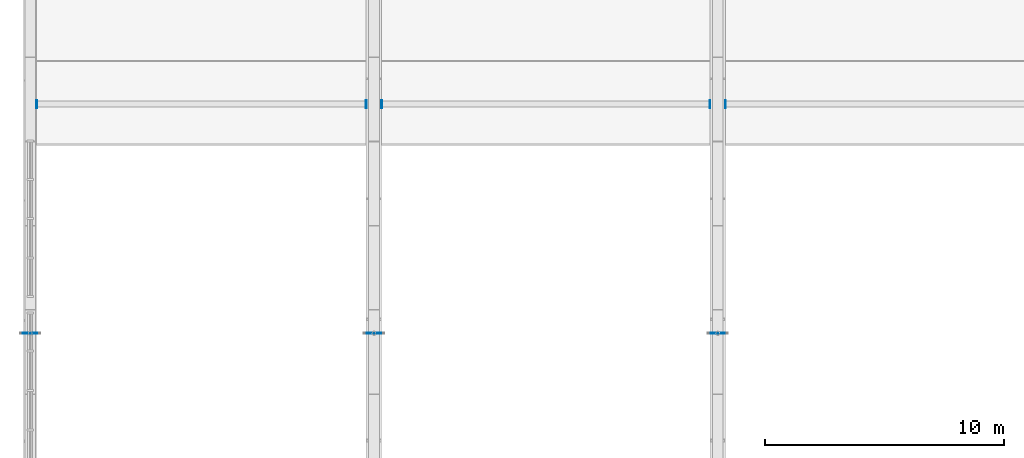
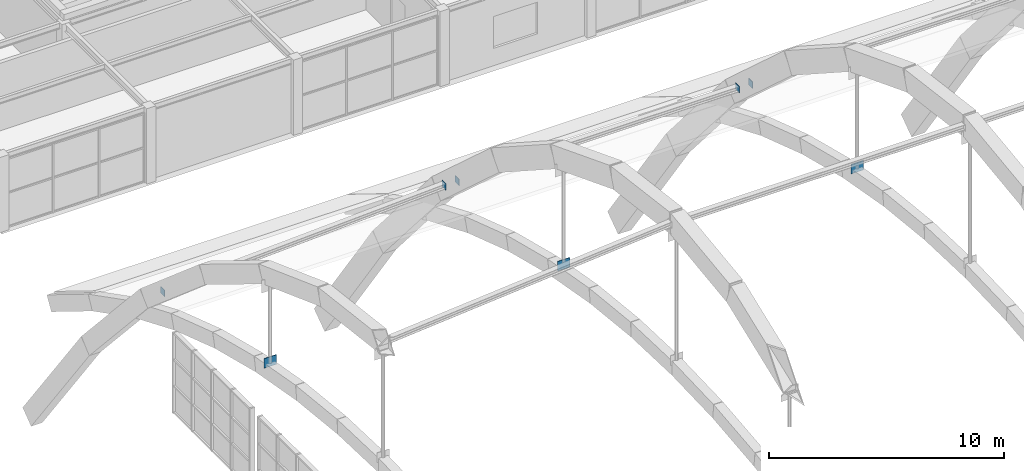
# One storey, part 49 of 64: 8 plates.
"""IFC4 building model written with IfcOpenShell, lengths in metres."""

from ifc_helpers import new_model, si_unit, direction, frame, origin, origin_2d, place, context, subcontext, project, spatial, rectangle, extrude, material, layer, layer_set, type_object, element, save


model = new_model("IFC4")

# Units and contexts
model_context = context("Model", 3, precision=1e-05, world=origin(), true_north=direction((0.0, 1.0)))
body_context = subcontext(model_context, "Body", "Model", "MODEL_VIEW")
ifc_project = project(units=[si_unit("LENGTHUNIT", "METRE"), si_unit("AREAUNIT", "SQUARE_METRE"), si_unit("VOLUMEUNIT", "CUBIC_METRE"), si_unit("PLANEANGLEUNIT", "RADIAN"), si_unit("MASSUNIT", "GRAM", prefix="KILO")], contexts=[model_context])

# Site, building, storey
site_placement = place(None, origin())
site = spatial("IfcSite", under=ifc_project, at=site_placement, CompositionType="ELEMENT")
building_placement = place(site_placement, origin())
building = spatial("IfcBuilding", under=site, at=building_placement, Name="Leyfeld Transit Interchange", CompositionType="ELEMENT")
storey_placement = place(building_placement, frame((0.0, 0.0, 9.60009765625)))
storey = spatial("IfcBuildingStorey", under=building, at=storey_placement, Name="L02", CompositionType="ELEMENT", Elevation=9.60009765625)

# Plates
ifc_material = material(Name="Steel S355J2", Category="steel")
ifc_layer_1 = layer(ifc_material, 0.02490234375, Name="Steel S355J2")
ifc_layer_set_1 = layer_set([ifc_layer_1], Name="Steel S355J2")
plate_type_1 = type_object("IfcPlateType", Name="PLT-CAP-25", PredefinedType="USERDEFINED", material=ifc_layer_set_1)
for number, where, z_axis, x_axis, name in (
    (1, (0.27490234375, 51.60009765625, 4.46826171875), (0.0, 0.0, 1.0), (0.0, 1.0, 0.0), "Arch Tie Chord West End Plate B1 T3"),
    (2, (14.074951171875, 51.60009765625, 5.166015625), (0.0, 0.0, 1.0), (0.0, 1.0, 0.0), "Arch Tie Chord East End Plate B1 T3"),
    (3, (14.72509765625, 51.60009765625, 5.166015625), (0.0, 0.0, 1.0), (0.0, 1.0, 0.0), "Arch Tie Chord West End Plate B2 T3"),
    (4, (28.47509765625, 51.60009765625, 5.166015625), (0.0, 0.0, 1.0), (0.0, 1.0, 0.0), "Arch Tie Chord East End Plate B2 T3"),
    (5, (29.125, 51.60009765625, 5.166015625), (0.0, 0.0, 1.0), (0.0, 1.0, 0.0), "Arch Tie Chord West End Plate B3 T3"),
):
    element("IfcPlate", number, at=place(storey_placement, frame(where, z_axis=z_axis, x_axis=x_axis)), inside=storey, type_object=plate_type_1, Name=name, ObjectType="FLANGE_PLATE", PredefinedType="USERDEFINED", context=body_context, shape_type="SweptSolid", body=[
        extrude(rectangle(XDim=0.340087890625, YDim=0.02490234375, at=origin_2d()), origin(), (0.0, 0.0, 1.0), 0.340087890625),
    ])
ifc_layer_2 = layer(ifc_material, 0.02490234375, Name="Steel S355J2")
ifc_layer_set_2 = layer_set([ifc_layer_2], Name="Steel S355J2")
plate_type_2 = type_object("IfcPlateType", Name="PLT-GUS-25", PredefinedType="SHEET", material=ifc_layer_set_2)
for number, where, z_axis, x_axis, name in (
    (6, (0.0, 42.0, 6.68505859375), (0.0, 0.0, 1.0), (1.0, 0.0, 0.0), "Hanger Lower Clevis Plate GP-W H5"),
    (7, (14.39990234375, 42.0, 6.68505859375), (0.0, 0.0, 1.0), (1.0, 0.0, 0.0), "Hanger Lower Clevis Plate AR-01 H5"),
    (8, (28.800048828125, 42.0, 6.68505859375), (0.0, 0.0, 1.0), (1.0, 0.0, 0.0), "Hanger Lower Clevis Plate AR-02 H5"),
):
    element("IfcPlate", number, at=place(storey_placement, frame(where, z_axis=z_axis, x_axis=x_axis)), inside=storey, type_object=plate_type_2, Name=name, PredefinedType="SHEET", context=body_context, shape_type="SweptSolid", body=[
        extrude(rectangle(XDim=0.60009765625, YDim=0.02490234375, at=origin_2d()), origin(), (0.0, 0.0, 1.0), 0.5),
    ])

save(model, "model.ifc")
